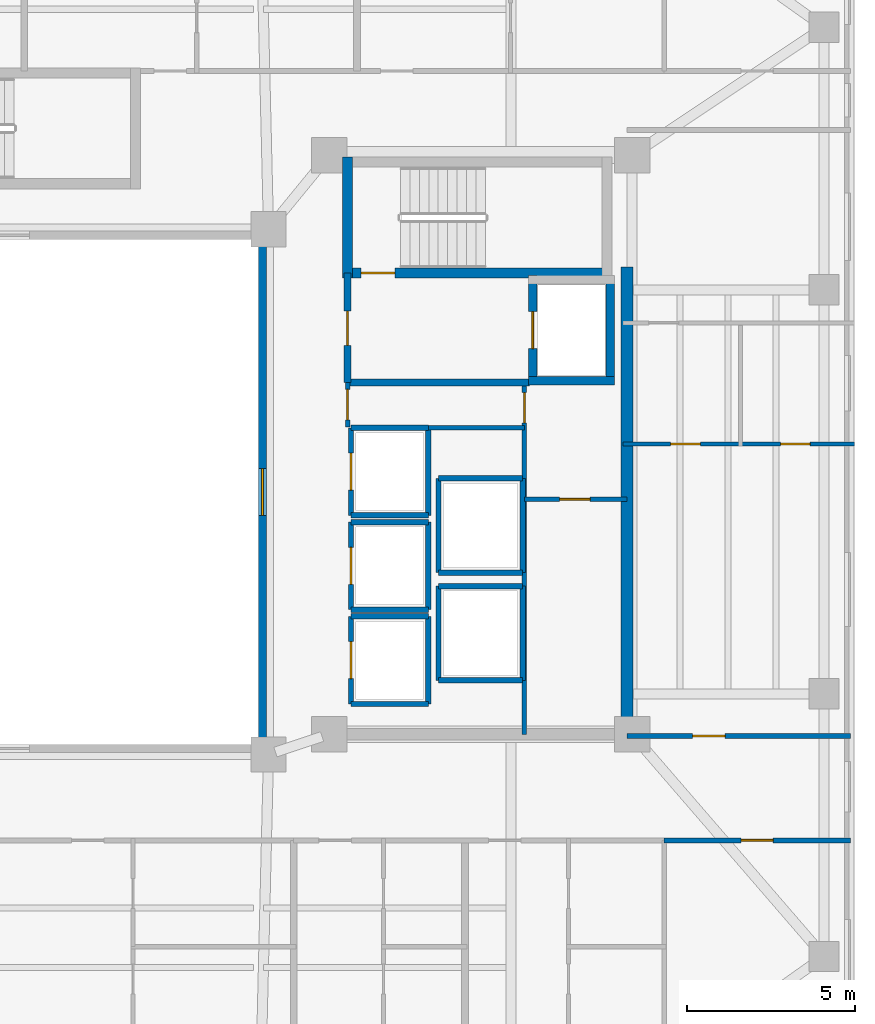
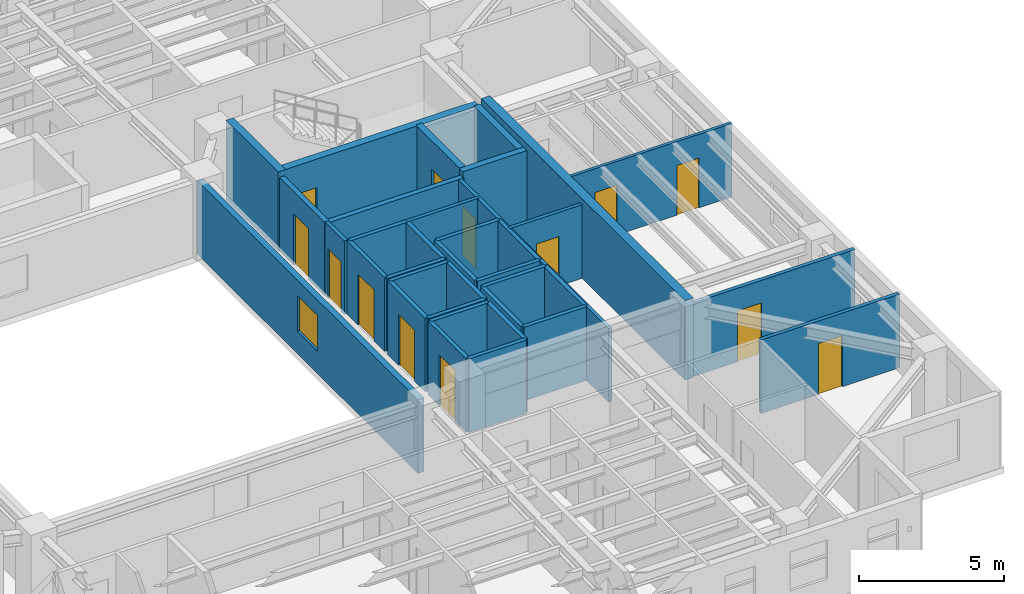
# One storey, part 9 of 16: 36 walls, 13 doors, 1 window, 14 openings.
"""IFC4 building model written with IfcOpenShell, lengths in metres."""

from ifc_helpers import new_model, si_unit, direction, frame, frame_2d, origin, place, context, subcontext, project, spatial, rectangle, extrude, material, layer, layer_set, type_object, element, fill, save


model = new_model("IFC4")

# Units and contexts
model_context = context("Model", 3, precision=1e-05, world=origin(), true_north=direction((0.0, 1.0)))
body_context = subcontext(model_context, "Body", "Model", "MODEL_VIEW")
ifc_project = project(units=[si_unit("LENGTHUNIT", "METRE"), si_unit("AREAUNIT", "SQUARE_METRE"), si_unit("VOLUMEUNIT", "CUBIC_METRE"), si_unit("PLANEANGLEUNIT", "RADIAN"), si_unit("MASSUNIT", "GRAM", prefix="KILO")], contexts=[model_context])

# Site, building, storey
site_placement = place(None, origin())
site = spatial("IfcSite", under=ifc_project, at=site_placement, CompositionType="ELEMENT")
building_placement = place(site_placement, origin())
building = spatial("IfcBuilding", under=site, at=building_placement, Name="Tarnavaz Court Tower", CompositionType="ELEMENT")
storey_placement = place(building_placement, frame((0.0, 0.0, 135.949951171875)))
storey = spatial("IfcBuildingStorey", under=building, at=storey_placement, Name="L36", CompositionType="ELEMENT", Elevation=135.949951171875)

# Wall, opening, door
ifc_material_1 = material(Name="Concrete C50/60", Category="concrete")
ifc_layer_1 = layer(ifc_material_1, 0.25)
ifc_layer_set_1 = layer_set([ifc_layer_1], Name="Concrete C50/60")
wall_type_1 = type_object("IfcWallType", Name="WL-CORE-250-C50", PredefinedType="SHEAR", material=ifc_layer_set_1)
wall_1_placement = place(storey_placement, frame((15.64990234375, 3.175048828125, 0.0), z_axis=(0.0, 0.0, 1.0), x_axis=(0.0, 1.0, 0.0)))
wall_1 = element("IfcWall", 1, at=wall_1_placement, inside=storey, type_object=wall_type_1, Name="L36 Lift FL-E1 Shaft Wall 033", PredefinedType="SHEAR", context=body_context, shape_type="SweptSolid", body=[
    extrude(rectangle(XDim=3.25, YDim=0.25, at=frame_2d((1.625, 0.0))), origin(), (0.0, 0.0, 1.0), 3.35009765625),
])
opening_1_placement = place(wall_1_placement, frame((1.074951171875, 0.0, 0.0)))
opening_1 = element("IfcOpeningElement", 2, at=opening_1_placement, cuts=wall_1, Name="Opening LD1", PredefinedType="OPENING", context=body_context, shape_type="SweptSolid", body=[
    extrude(rectangle(XDim=1.10009765625, YDim=2.14990234375, at=frame_2d((0.550048828125, 1.074951171875))), frame((0.0, 0.135009765625, 0.0), z_axis=(0.0, -1.0, 0.0), x_axis=(1.0, 0.0, 0.0)), (0.0, 0.0, 1.0), 0.27001953125),
])
ifc_material_2 = material(Name="Stainless Steel", Category="steel")
door_type_1 = type_object("IfcDoorType", Name="DR-LD-1100", OperationType="NOTDEFINED", PredefinedType="DOOR", material=ifc_material_2)
door_1_placement = place(opening_1_placement, origin())
door_1 = element("IfcDoor", 3, at=door_1_placement, inside=storey, type_object=door_type_1, Name="L36 Lift Landing Door LD-FL-E1", OperationType="SLIDING_TO_LEFT", OverallHeight=2.14990234375, OverallWidth=1.10009765625, PredefinedType="DOOR", context=body_context, shape_type="SweptSolid", body=[
    extrude(rectangle(XDim=1.10009765625, YDim=2.14990234375, at=frame_2d((0.550048828125, 1.074951171875))), frame((0.0, 0.02490234375, 0.0), z_axis=(0.0, -1.0, 0.0), x_axis=(1.0, 0.0, 0.0)), (0.0, 0.0, 1.0), 0.050048828125),
])
fill(opening_1, door_1)

# Walls
wall_2_placement = place(storey_placement, frame((17.949951171875, 3.175048828125, 0.0), z_axis=(0.0, 0.0, 1.0), x_axis=(0.0, 1.0, 0.0)))
element("IfcWall", 4, at=wall_2_placement, inside=storey, type_object=wall_type_1, Name="L36 Lift FL-E1 Shaft Wall 034", PredefinedType="SHEAR", context=body_context, shape_type="SweptSolid", body=[
    extrude(rectangle(XDim=3.25, YDim=0.25, at=frame_2d((1.625, 0.0))), origin(), (0.0, 0.0, 1.0), 3.35009765625),
])
wall_3_placement = place(storey_placement, frame((15.52490234375, 3.300048828125, 0.0), z_axis=(0.0, 0.0, 1.0), x_axis=(1.0, 0.0, 0.0)))
element("IfcWall", 5, at=wall_3_placement, inside=storey, type_object=wall_type_1, Name="L36 Lift FL-E1 Shaft Wall 035", PredefinedType="SHEAR", context=body_context, shape_type="SweptSolid", body=[
    extrude(rectangle(XDim=2.550048828125, YDim=0.25, at=frame_2d((1.27490234375, 0.0))), origin(), (0.0, 0.0, 1.0), 3.35009765625),
])

# Wall, opening, door
ifc_layer_2 = layer(ifc_material_1, 0.300048828125)
ifc_layer_set_2 = layer_set([ifc_layer_2], Name="Concrete C50/60")
wall_type_2 = type_object("IfcWallType", Name="WL-CORE-300-C50", PredefinedType="SHEAR", material=ifc_layer_set_2)
wall_4_placement = place(storey_placement, frame((10.0, 6.5, 0.0), z_axis=(0.0, 0.0, 1.0), x_axis=(1.0, 0.0, 0.0)))
wall_4 = element("IfcWall", 6, at=wall_4_placement, inside=storey, type_object=wall_type_2, Name="L36 East Stair Core Wall 006", PredefinedType="SHEAR", context=body_context, shape_type="SweptSolid", body=[
    extrude(rectangle(XDim=8.0, YDim=0.300048828125, at=frame_2d((4.0, 0.0))), origin(), (0.0, 0.0, 1.0), 3.35009765625),
])
opening_2_placement = place(wall_4_placement, frame((0.550048828125, 0.0, 0.0)))
opening_2 = element("IfcOpeningElement", 7, at=opening_2_placement, cuts=wall_4, Name="Opening D01", PredefinedType="OPENING", context=body_context, shape_type="SweptSolid", body=[
    extrude(rectangle(XDim=1.0, YDim=2.14990234375, at=frame_2d((0.5, 1.074951171875))), frame((0.0, 0.159912109375, 0.0), z_axis=(0.0, -1.0, 0.0), x_axis=(1.0, 0.0, 0.0)), (0.0, 0.0, 1.0), 0.320068359375),
])
ifc_material_3 = material(Name="Fire-Rated Hardwood Timber Core", Category="wood")
door_type_2 = type_object("IfcDoorType", Name="DR-FD90-1000", OperationType="NOTDEFINED", PredefinedType="DOOR", material=ifc_material_3)
door_2_placement = place(opening_2_placement, origin())
door_2 = element("IfcDoor", 8, at=door_2_placement, inside=storey, type_object=door_type_2, Name="L36 Stair ST-E1 Exit Door", OperationType="SINGLE_SWING_RIGHT", OverallHeight=2.14990234375, OverallWidth=1.0, PredefinedType="DOOR", context=body_context, shape_type="SweptSolid", body=[
    extrude(rectangle(XDim=1.0, YDim=2.14990234375, at=frame_2d((0.5, 1.074951171875))), frame((0.0, 0.02490234375, 0.0), z_axis=(0.0, -1.0, 0.0), x_axis=(1.0, 0.0, 0.0)), (0.0, 0.0, 1.0), 0.050048828125),
])
fill(opening_2, door_2)

# Walls
wall_5_placement = place(storey_placement, frame((10.14990234375, 6.35009765625, 0.0), z_axis=(0.0, 0.0, 1.0), x_axis=(0.0, 1.0, 0.0)))
element("IfcWall", 9, at=wall_5_placement, inside=storey, type_object=wall_type_2, Name="L36 East Stair Core Wall 007", PredefinedType="SHEAR", context=body_context, shape_type="SweptSolid", body=[
    extrude(rectangle(XDim=3.58984375, YDim=0.300048828125, at=frame_2d((1.794921875, 0.0))), origin(), (0.0, 0.0, 1.0), 3.35009765625),
])
ifc_layer_3 = layer(ifc_material_1, 0.35009765625)
ifc_layer_set_3 = layer_set([ifc_layer_3], Name="Concrete C50/60")
wall_type_3 = type_object("IfcWallType", Name="WL-CORE-350-C50", PredefinedType="SHEAR", material=ifc_layer_set_3)
wall_6_placement = place(storey_placement, frame((18.449951171875, -7.375, 0.0), z_axis=(0.0, 0.0, 1.0), x_axis=(0.0, 1.0, 0.0)))
element("IfcWall", 10, at=wall_6_placement, inside=storey, type_object=wall_type_3, Name="L36 East Core Shear Wall 059", PredefinedType="SHEAR", context=body_context, shape_type="SweptSolid", body=[
    extrude(rectangle(XDim=14.050048828125, YDim=0.35009765625, at=frame_2d((7.02490234375, 0.0))), origin(), (0.0, 0.0, 1.0), 3.35009765625),
])

# Wall, opening, door
ifc_material_4 = material(Name="Gypsum Fire-Board on Acoustic Metal Stud", Category="masonry")
ifc_layer_4 = layer(ifc_material_4, 0.14990234375)
ifc_layer_set_4 = layer_set([ifc_layer_4], Name="Gypsum Fire-Board on Acoustic Metal Stud")
wall_type_4 = type_object("IfcWallType", Name="WL-FIRE-150", PredefinedType="PARTITIONING", material=ifc_layer_set_4)
wall_7_placement = place(storey_placement, frame((18.449951171875, -7.25, 0.0), z_axis=(0.0, 0.0, 1.0), x_axis=(1.0, 0.0, 0.0)))
wall_7 = element("IfcWall", 11, at=wall_7_placement, inside=storey, type_object=wall_type_4, Name="L36 Interior Partition 117", PredefinedType="PARTITIONING", context=body_context, shape_type="SweptSolid", body=[
    extrude(rectangle(XDim=6.630126953125, YDim=0.14990234375, at=frame_2d((3.31494140625, 0.0))), origin(), (0.0, 0.0, 1.0), 3.10009765625),
])
opening_3_placement = place(wall_7_placement, frame((1.949951171875, 0.0, 0.0)))
opening_3 = element("IfcOpeningElement", 12, at=opening_3_placement, cuts=wall_7, Name="Opening D06", PredefinedType="OPENING", context=body_context, shape_type="SweptSolid", body=[
    extrude(rectangle(XDim=0.9599609375, YDim=2.14990234375, at=frame_2d((0.47998046875, 1.074951171875))), frame((0.0, 0.0849609375, 0.0), z_axis=(0.0, -1.0, 0.0), x_axis=(1.0, 0.0, 0.0)), (0.0, 0.0, 1.0), 0.169921875),
])
door_type_3 = type_object("IfcDoorType", Name="DR-FD60-950", OperationType="NOTDEFINED", PredefinedType="DOOR", material=ifc_material_3)
door_3_placement = place(opening_3_placement, origin())
door_3 = element("IfcDoor", 13, at=door_3_placement, inside=storey, type_object=door_type_3, Name="L36 Flat 12 Entrance Door", OperationType="SINGLE_SWING_RIGHT", OverallHeight=2.14990234375, OverallWidth=0.9599609375, PredefinedType="DOOR", context=body_context, shape_type="SweptSolid", body=[
    extrude(rectangle(XDim=0.9599609375, YDim=2.14990234375, at=frame_2d((0.47998046875, 1.074951171875))), frame((0.0, 0.02490234375, 0.0), z_axis=(0.0, -1.0, 0.0), x_axis=(1.0, 0.0, 0.0)), (0.0, 0.0, 1.0), 0.050048828125),
])
fill(opening_3, door_3)

wall_8_placement = place(storey_placement, frame((19.550048828125, -10.35009765625, 0.0), z_axis=(0.0, 0.0, 1.0), x_axis=(1.0, 0.0, 0.0)))
wall_8 = element("IfcWall", 14, at=wall_8_placement, inside=storey, type_object=wall_type_4, Name="L36 Interior Partition 126", PredefinedType="PARTITIONING", context=body_context, shape_type="SweptSolid", body=[
    extrude(rectangle(XDim=5.530029296875, YDim=0.14990234375, at=frame_2d((2.76513671875, 0.0))), origin(), (0.0, 0.0, 1.0), 3.10009765625),
])
opening_4_placement = place(wall_8_placement, frame((2.2900390625, 0.0, 0.0)))
opening_4 = element("IfcOpeningElement", 15, at=opening_4_placement, cuts=wall_8, Name="Opening D13", PredefinedType="OPENING", context=body_context, shape_type="SweptSolid", body=[
    extrude(rectangle(XDim=0.949951171875, YDim=2.14990234375, at=frame_2d((0.47509765625, 1.074951171875))), frame((0.0, 0.0849609375, 0.0), z_axis=(0.0, -1.0, 0.0), x_axis=(1.0, 0.0, 0.0)), (0.0, 0.0, 1.0), 0.169921875),
])
ifc_material_5 = material(Name="Engineered Oak Timber", Category="wood")
door_type_4 = type_object("IfcDoorType", Name="DR-INT-950", OperationType="NOTDEFINED", PredefinedType="DOOR", material=ifc_material_5)
door_4_placement = place(opening_4_placement, origin())
door_4 = element("IfcDoor", 16, at=door_4_placement, inside=storey, type_object=door_type_4, Name="L36 SE Reading Room Door", OperationType="SINGLE_SWING_LEFT", OverallHeight=2.14990234375, OverallWidth=0.949951171875, PredefinedType="DOOR", context=body_context, shape_type="SweptSolid", body=[
    extrude(rectangle(XDim=0.949951171875, YDim=2.14990234375, at=frame_2d((0.47509765625, 1.074951171875))), frame((0.0, 0.02490234375, 0.0), z_axis=(0.0, -1.0, 0.0), x_axis=(1.0, 0.0, 0.0)), (0.0, 0.0, 1.0), 0.050048828125),
])
fill(opening_4, door_4)

# Wall
ifc_material_6 = material(Name="Autoclaved Aerated Concrete Blockwork", Category="masonry")
ifc_layer_5 = layer(ifc_material_6, 0.199951171875)
ifc_layer_set_5 = layer_set([ifc_layer_5], Name="Autoclaved Aerated Concrete Blockwork")
wall_type_5 = type_object("IfcWallType", Name="WL-FIRE-200", PredefinedType="SOLIDWALL", material=ifc_layer_set_5)
wall_9_placement = place(storey_placement, frame((10.14990234375, 3.25, 0.0), z_axis=(0.0, 0.0, 1.0), x_axis=(1.0, 0.0, 0.0)))
element("IfcWall", 17, at=wall_9_placement, inside=storey, type_object=wall_type_5, Name="L36 East Firefighting Lobby Wall 015", PredefinedType="SOLIDWALL", context=body_context, shape_type="SweptSolid", body=[
    extrude(rectangle(XDim=5.400146484375, YDim=0.199951171875, at=frame_2d((2.7001953125, 0.0))), origin(), (0.0, 0.0, 1.0), 3.10009765625),
])

# Wall, opening, door
wall_10_placement = place(storey_placement, frame((10.14990234375, 3.25, 0.0), z_axis=(0.0, 0.0, 1.0), x_axis=(0.0, 1.0, 0.0)))
wall_10 = element("IfcWall", 18, at=wall_10_placement, inside=storey, type_object=wall_type_5, Name="L36 East Firefighting Lobby Wall 016", PredefinedType="SOLIDWALL", context=body_context, shape_type="SweptSolid", body=[
    extrude(rectangle(XDim=3.25, YDim=0.199951171875, at=frame_2d((1.625, 0.0))), origin(), (0.0, 0.0, 1.0), 3.10009765625),
])
opening_5_placement = place(wall_10_placement, frame((1.10009765625, 0.0, 0.0)))
opening_5 = element("IfcOpeningElement", 19, at=opening_5_placement, cuts=wall_10, Name="Opening D05", PredefinedType="OPENING", context=body_context, shape_type="SweptSolid", body=[
    extrude(rectangle(XDim=1.02001953125, YDim=2.14990234375, at=frame_2d((0.510009765625, 1.074951171875))), frame((0.0, 0.10986328125, 0.0), z_axis=(0.0, -1.0, 0.0), x_axis=(1.0, 0.0, 0.0)), (0.0, 0.0, 1.0), 0.219970703125),
])
door_type_5 = type_object("IfcDoorType", Name="DR-FD60-1000", OperationType="NOTDEFINED", PredefinedType="DOOR", material=ifc_material_3)
door_5_placement = place(opening_5_placement, origin())
door_5 = element("IfcDoor", 20, at=door_5_placement, inside=storey, type_object=door_type_5, Name="L36 East Firefighting Lobby Door", OperationType="SINGLE_SWING_LEFT", OverallHeight=2.14990234375, OverallWidth=1.02001953125, PredefinedType="DOOR", context=body_context, shape_type="SweptSolid", body=[
    extrude(rectangle(XDim=1.02001953125, YDim=2.14990234375, at=frame_2d((0.510009765625, 1.074951171875))), frame((0.0, 0.02490234375, 0.0), z_axis=(0.0, -1.0, 0.0), x_axis=(1.0, 0.0, 0.0)), (0.0, 0.0, 1.0), 0.050048828125),
])
fill(opening_5, door_5)

# Wall, openings, doors
ifc_material_7 = material(Name="Moisture-Resistant Gypsum Board Partition", Category="masonry")
ifc_layer_6 = layer(ifc_material_7, 0.1201171875)
ifc_layer_set_6 = layer_set([ifc_layer_6], Name="Moisture-Resistant Gypsum Board Partition")
wall_type_6 = type_object("IfcWallType", Name="WL-PART-120", PredefinedType="PARTITIONING", material=ifc_layer_set_6)
wall_11_placement = place(storey_placement, frame((18.330078125, 1.419921875, 0.0), z_axis=(0.0, 0.0, 1.0), x_axis=(1.0, 0.0, 0.0)))
wall_11 = element("IfcWall", 21, at=wall_11_placement, inside=storey, type_object=wall_type_6, Name="L36 Interior Partition 130", PredefinedType="PARTITIONING", context=body_context, shape_type="SweptSolid", body=[
    extrude(rectangle(XDim=6.869873046875, YDim=0.1201171875, at=frame_2d((3.43505859375, 0.0))), origin(), (0.0, 0.0, 1.0), 3.10009765625),
])
opening_6_placement = place(wall_11_placement, frame((1.4130859375, 0.0, 0.0)))
opening_6 = element("IfcOpeningElement", 22, at=opening_6_placement, cuts=wall_11, Name="Opening D14", PredefinedType="OPENING", context=body_context, shape_type="SweptSolid", body=[
    extrude(rectangle(XDim=0.8798828125, YDim=2.10009765625, at=frame_2d((0.43994140625, 1.050048828125))), frame((0.0, 0.070068359375, 0.0), z_axis=(0.0, -1.0, 0.0), x_axis=(1.0, 0.0, 0.0)), (0.0, 0.0, 1.0), 0.14013671875),
])
opening_7_placement = place(wall_11_placement, frame((4.677978515625, 0.0, 0.0)))
opening_7 = element("IfcOpeningElement", 23, at=opening_7_placement, cuts=wall_11, Name="Opening D14", PredefinedType="OPENING", context=body_context, shape_type="SweptSolid", body=[
    extrude(rectangle(XDim=0.8798828125, YDim=2.10009765625, at=frame_2d((0.43994140625, 1.050048828125))), frame((0.0, 0.070068359375, 0.0), z_axis=(0.0, -1.0, 0.0), x_axis=(1.0, 0.0, 0.0)), (0.0, 0.0, 1.0), 0.14013671875),
])
door_type_6 = type_object("IfcDoorType", Name="DR-INT-900", OperationType="NOTDEFINED", PredefinedType="DOOR", material=ifc_material_5)
door_6_placement = place(opening_6_placement, origin())
door_6 = element("IfcDoor", 24, at=door_6_placement, inside=storey, type_object=door_type_6, Name="L36 Flat 12 Kitchen Door", OperationType="SINGLE_SWING_LEFT", OverallHeight=2.10009765625, OverallWidth=0.8798828125, PredefinedType="DOOR", context=body_context, shape_type="SweptSolid", body=[
    extrude(rectangle(XDim=0.8798828125, YDim=2.10009765625, at=frame_2d((0.43994140625, 1.050048828125))), frame((0.0, 0.02490234375, 0.0), z_axis=(0.0, -1.0, 0.0), x_axis=(1.0, 0.0, 0.0)), (0.0, 0.0, 1.0), 0.050048828125),
])
fill(opening_6, door_6)
door_7_placement = place(opening_7_placement, origin())
door_7 = element("IfcDoor", 25, at=door_7_placement, inside=storey, type_object=door_type_6, Name="L36 Flat 12 Bathroom Door", OperationType="SINGLE_SWING_RIGHT", OverallHeight=2.10009765625, OverallWidth=0.8798828125, PredefinedType="DOOR", context=body_context, shape_type="SweptSolid", body=[
    extrude(rectangle(XDim=0.8798828125, YDim=2.10009765625, at=frame_2d((0.43994140625, 1.050048828125))), frame((0.0, 0.02490234375, 0.0), z_axis=(0.0, -1.0, 0.0), x_axis=(1.0, 0.0, 0.0)), (0.0, 0.0, 1.0), 0.050048828125),
])
fill(opening_7, door_7)

# Wall
ifc_material_8 = material(Name="Gypsum Plasterboard Acoustic Partition", Category="masonry")
ifc_layer_7 = layer(ifc_material_8, 0.139892578125)
ifc_layer_set_7 = layer_set([ifc_layer_7], Name="Gypsum Plasterboard Acoustic Partition")
wall_type_7 = type_object("IfcWallType", Name="WL-PART-150", PredefinedType="PARTITIONING", material=ifc_layer_set_7)
wall_12_placement = place(storey_placement, frame((12.550048828125, 1.89990234375, 0.0), z_axis=(0.0, 0.0, 1.0), x_axis=(1.0, 0.0, 0.0)))
element("IfcWall", 26, at=wall_12_placement, inside=storey, type_object=wall_type_7, Name="L36 Interior Partition 068", PredefinedType="PARTITIONING", context=body_context, shape_type="SweptSolid", body=[
    extrude(rectangle(XDim=2.849853515625, YDim=0.139892578125, at=frame_2d((1.4248046875, 0.0))), origin(), (0.0, 0.0, 1.0), 3.10009765625),
])

# Wall, opening, door
wall_13_placement = place(storey_placement, frame((10.14990234375, 1.919921875, 0.0), z_axis=(0.0, 0.0, 1.0), x_axis=(0.0, 1.0, 0.0)))
wall_13 = element("IfcWall", 27, at=wall_13_placement, inside=storey, type_object=wall_type_7, Name="L36 Interior Partition 069", PredefinedType="PARTITIONING", context=body_context, shape_type="SweptSolid", body=[
    extrude(rectangle(XDim=1.330078125, YDim=0.139892578125, at=frame_2d((0.6650390625, 0.0))), origin(), (0.0, 0.0, 1.0), 3.10009765625),
])
opening_8_placement = place(wall_13_placement, frame((0.219970703125, 0.0, 0.0)))
opening_8 = element("IfcOpeningElement", 28, at=opening_8_placement, cuts=wall_13, Name="Opening D09", PredefinedType="OPENING", context=body_context, shape_type="SweptSolid", body=[
    extrude(rectangle(XDim=0.89990234375, YDim=2.080078125, at=frame_2d((0.449951171875, 1.0400390625))), frame((0.0, 0.079833984375, 0.0), z_axis=(0.0, -1.0, 0.0), x_axis=(1.0, 0.0, 0.0)), (0.0, 0.0, 1.0), 0.159912109375),
])
door_type_7 = type_object("IfcDoorType", Name="DR-FD30-900", OperationType="NOTDEFINED", PredefinedType="DOOR", material=ifc_material_3)
door_8_placement = place(opening_8_placement, origin())
door_8 = element("IfcDoor", 29, at=door_8_placement, inside=storey, type_object=door_type_7, Name="L36 East Core Service Lobby Door", OperationType="SINGLE_SWING_LEFT", OverallHeight=2.080078125, OverallWidth=0.89990234375, PredefinedType="DOOR", context=body_context, shape_type="SweptSolid", body=[
    extrude(rectangle(XDim=0.89990234375, YDim=2.080078125, at=frame_2d((0.449951171875, 1.0400390625))), frame((0.0, 0.02490234375, 0.0), z_axis=(0.0, -1.0, 0.0), x_axis=(1.0, 0.0, 0.0)), (0.0, 0.0, 1.0), 0.050048828125),
])
fill(opening_8, door_8)

wall_14_placement = place(storey_placement, frame((15.39990234375, -7.199951171875, 0.0), z_axis=(0.0, 0.0, 1.0), x_axis=(0.0, 1.0, 0.0)))
wall_14 = element("IfcWall", 30, at=wall_14_placement, inside=storey, type_object=wall_type_7, Name="L36 Interior Partition 070", PredefinedType="PARTITIONING", context=body_context, shape_type="SweptSolid", body=[
    extrude(rectangle(XDim=10.449951171875, YDim=0.139892578125, at=frame_2d((5.22509765625, 0.0))), origin(), (0.0, 0.0, 1.0), 3.10009765625),
])
opening_9_placement = place(wall_14_placement, frame((9.25, 0.0, 0.0)))
opening_9 = element("IfcOpeningElement", 31, at=opening_9_placement, cuts=wall_14, Name="Opening D09", PredefinedType="OPENING", context=body_context, shape_type="SweptSolid", body=[
    extrude(rectangle(XDim=0.89990234375, YDim=2.080078125, at=frame_2d((0.449951171875, 1.0400390625))), frame((0.0, 0.079833984375, 0.0), z_axis=(0.0, -1.0, 0.0), x_axis=(1.0, 0.0, 0.0)), (0.0, 0.0, 1.0), 0.159912109375),
])
door_9_placement = place(opening_9_placement, origin())
door_9 = element("IfcDoor", 32, at=door_9_placement, inside=storey, type_object=door_type_7, Name="L36 East Wet Riser Door", OperationType="SINGLE_SWING_RIGHT", OverallHeight=2.080078125, OverallWidth=0.89990234375, PredefinedType="DOOR", context=body_context, shape_type="SweptSolid", body=[
    extrude(rectangle(XDim=0.89990234375, YDim=2.080078125, at=frame_2d((0.449951171875, 1.0400390625))), frame((0.0, 0.02490234375, 0.0), z_axis=(0.0, -1.0, 0.0), x_axis=(1.0, 0.0, 0.0)), (0.0, 0.0, 1.0), 0.050048828125),
])
fill(opening_9, door_9)

wall_15_placement = place(storey_placement, frame((15.39990234375, -0.219970703125, 0.0), z_axis=(0.0, 0.0, 1.0), x_axis=(1.0, 0.0, 0.0)))
wall_15 = element("IfcWall", 33, at=wall_15_placement, inside=storey, type_object=wall_type_7, Name="L36 Interior Partition 071", PredefinedType="PARTITIONING", context=body_context, shape_type="SweptSolid", body=[
    extrude(rectangle(XDim=3.050048828125, YDim=0.139892578125, at=frame_2d((1.52490234375, 0.0))), origin(), (0.0, 0.0, 1.0), 3.10009765625),
])
opening_10_placement = place(wall_15_placement, frame((1.050048828125, 0.0, 0.0)))
opening_10 = element("IfcOpeningElement", 34, at=opening_10_placement, cuts=wall_15, Name="Opening D09", PredefinedType="OPENING", context=body_context, shape_type="SweptSolid", body=[
    extrude(rectangle(XDim=0.89990234375, YDim=2.080078125, at=frame_2d((0.449951171875, 1.0400390625))), frame((0.0, 0.079833984375, 0.0), z_axis=(0.0, -1.0, 0.0), x_axis=(1.0, 0.0, 0.0)), (0.0, 0.0, 1.0), 0.159912109375),
])
door_10_placement = place(opening_10_placement, origin())
door_10 = element("IfcDoor", 35, at=door_10_placement, inside=storey, type_object=door_type_7, Name="L36 East Electrical Plant Door", OperationType="SINGLE_SWING_LEFT", OverallHeight=2.080078125, OverallWidth=0.89990234375, PredefinedType="DOOR", context=body_context, shape_type="SweptSolid", body=[
    extrude(rectangle(XDim=0.89990234375, YDim=2.080078125, at=frame_2d((0.449951171875, 1.0400390625))), frame((0.0, 0.02490234375, 0.0), z_axis=(0.0, -1.0, 0.0), x_axis=(1.0, 0.0, 0.0)), (0.0, 0.0, 1.0), 0.050048828125),
])
fill(opening_10, door_10)

ifc_layer_8 = layer(ifc_material_6, 0.159912109375)
ifc_layer_set_8 = layer_set([ifc_layer_8], Name="Autoclaved Aerated Concrete Blockwork")
wall_type_8 = type_object("IfcWallType", Name="WL-SHAFT-150", PredefinedType="SOLIDWALL", material=ifc_layer_set_8)
wall_16_placement = place(storey_placement, frame((10.25, -6.300048828125, 0.0), z_axis=(0.0, 0.0, 1.0), x_axis=(0.0, 1.0, 0.0)))
wall_16 = element("IfcWall", 36, at=wall_16_placement, inside=storey, type_object=wall_type_8, Name="L36 Lift PL-M1 Shaft Wall 037", PredefinedType="SOLIDWALL", context=body_context, shape_type="SweptSolid", body=[
    extrude(rectangle(XDim=2.60009765625, YDim=0.159912109375, at=frame_2d((1.300048828125, 0.0))), origin(), (0.0, 0.0, 1.0), 3.10009765625),
])
opening_11_placement = place(wall_16_placement, frame((0.75, 0.0, 0.0)))
opening_11 = element("IfcOpeningElement", 37, at=opening_11_placement, cuts=wall_16, Name="Opening LD1", PredefinedType="OPENING", context=body_context, shape_type="SweptSolid", body=[
    extrude(rectangle(XDim=1.10009765625, YDim=2.14990234375, at=frame_2d((0.550048828125, 1.074951171875))), frame((0.0, 0.08984375, 0.0), z_axis=(0.0, -1.0, 0.0), x_axis=(1.0, 0.0, 0.0)), (0.0, 0.0, 1.0), 0.179931640625),
])
door_11_placement = place(opening_11_placement, origin())
door_11 = element("IfcDoor", 38, at=door_11_placement, inside=storey, type_object=door_type_1, Name="L36 Lift Landing Door LD-PL-M1", OperationType="SLIDING_TO_LEFT", OverallHeight=2.14990234375, OverallWidth=1.10009765625, PredefinedType="DOOR", context=body_context, shape_type="SweptSolid", body=[
    extrude(rectangle(XDim=1.10009765625, YDim=2.14990234375, at=frame_2d((0.550048828125, 1.074951171875))), frame((0.0, 0.02490234375, 0.0), z_axis=(0.0, -1.0, 0.0), x_axis=(1.0, 0.0, 0.0)), (0.0, 0.0, 1.0), 0.050048828125),
])
fill(opening_11, door_11)

# Walls
wall_17_placement = place(storey_placement, frame((12.550048828125, -6.300048828125, 0.0), z_axis=(0.0, 0.0, 1.0), x_axis=(0.0, 1.0, 0.0)))
element("IfcWall", 39, at=wall_17_placement, inside=storey, type_object=wall_type_8, Name="L36 Lift PL-M1 Shaft Wall 038", PredefinedType="SOLIDWALL", context=body_context, shape_type="SweptSolid", body=[
    extrude(rectangle(XDim=2.60009765625, YDim=0.159912109375, at=frame_2d((1.300048828125, 0.0))), origin(), (0.0, 0.0, 1.0), 3.10009765625),
])
for number, where, z_axis, x_axis, name in (
    (40, (10.25, -6.300048828125, 0.0), (0.0, 0.0, 1.0), (1.0, 0.0, 0.0), "L36 Lift PL-M1 Shaft Wall 039"),
    (41, (10.25, -3.699951171875, 0.0), (0.0, 0.0, 1.0), (1.0, 0.0, 0.0), "L36 Lift PL-M1 Shaft Wall 040"),
):
    element("IfcWall", number, at=place(storey_placement, frame(where, z_axis=z_axis, x_axis=x_axis)), inside=storey, type_object=wall_type_8, Name=name, PredefinedType="SOLIDWALL", context=body_context, shape_type="SweptSolid", body=[
        extrude(rectangle(XDim=2.300048828125, YDim=0.159912109375, at=frame_2d((1.14990234375, 0.0))), origin(), (0.0, 0.0, 1.0), 3.10009765625),
    ])

# Wall, opening, door
wall_18_placement = place(storey_placement, frame((10.25, -3.5, 0.0), z_axis=(0.0, 0.0, 1.0), x_axis=(0.0, 1.0, 0.0)))
wall_18 = element("IfcWall", 42, at=wall_18_placement, inside=storey, type_object=wall_type_8, Name="L36 Lift PL-M2 Shaft Wall 041", PredefinedType="SOLIDWALL", context=body_context, shape_type="SweptSolid", body=[
    extrude(rectangle(XDim=2.60009765625, YDim=0.159912109375, at=frame_2d((1.300048828125, 0.0))), origin(), (0.0, 0.0, 1.0), 3.10009765625),
])
opening_12_placement = place(wall_18_placement, frame((0.75, 0.0, 0.0)))
opening_12 = element("IfcOpeningElement", 43, at=opening_12_placement, cuts=wall_18, Name="Opening LD1", PredefinedType="OPENING", context=body_context, shape_type="SweptSolid", body=[
    extrude(rectangle(XDim=1.10009765625, YDim=2.14990234375, at=frame_2d((0.550048828125, 1.074951171875))), frame((0.0, 0.08984375, 0.0), z_axis=(0.0, -1.0, 0.0), x_axis=(1.0, 0.0, 0.0)), (0.0, 0.0, 1.0), 0.179931640625),
])
door_12_placement = place(opening_12_placement, origin())
door_12 = element("IfcDoor", 44, at=door_12_placement, inside=storey, type_object=door_type_1, Name="L36 Lift Landing Door LD-PL-M2", OperationType="SLIDING_TO_LEFT", OverallHeight=2.14990234375, OverallWidth=1.10009765625, PredefinedType="DOOR", context=body_context, shape_type="SweptSolid", body=[
    extrude(rectangle(XDim=1.10009765625, YDim=2.14990234375, at=frame_2d((0.550048828125, 1.074951171875))), frame((0.0, 0.02490234375, 0.0), z_axis=(0.0, -1.0, 0.0), x_axis=(1.0, 0.0, 0.0)), (0.0, 0.0, 1.0), 0.050048828125),
])
fill(opening_12, door_12)

# Walls
wall_19_placement = place(storey_placement, frame((12.550048828125, -3.5, 0.0), z_axis=(0.0, 0.0, 1.0), x_axis=(0.0, 1.0, 0.0)))
element("IfcWall", 45, at=wall_19_placement, inside=storey, type_object=wall_type_8, Name="L36 Lift PL-M2 Shaft Wall 042", PredefinedType="SOLIDWALL", context=body_context, shape_type="SweptSolid", body=[
    extrude(rectangle(XDim=2.60009765625, YDim=0.159912109375, at=frame_2d((1.300048828125, 0.0))), origin(), (0.0, 0.0, 1.0), 3.10009765625),
])
for number, where, z_axis, x_axis, name in (
    (46, (10.25, -3.5, 0.0), (0.0, 0.0, 1.0), (1.0, 0.0, 0.0), "L36 Lift PL-M2 Shaft Wall 043"),
    (47, (10.25, -0.89990234375, 0.0), (0.0, 0.0, 1.0), (1.0, 0.0, 0.0), "L36 Lift PL-M2 Shaft Wall 044"),
):
    element("IfcWall", number, at=place(storey_placement, frame(where, z_axis=z_axis, x_axis=x_axis)), inside=storey, type_object=wall_type_8, Name=name, PredefinedType="SOLIDWALL", context=body_context, shape_type="SweptSolid", body=[
        extrude(rectangle(XDim=2.300048828125, YDim=0.159912109375, at=frame_2d((1.14990234375, 0.0))), origin(), (0.0, 0.0, 1.0), 3.10009765625),
    ])

# Wall, opening, door
wall_20_placement = place(storey_placement, frame((10.25, -0.699951171875, 0.0), z_axis=(0.0, 0.0, 1.0), x_axis=(0.0, 1.0, 0.0)))
wall_20 = element("IfcWall", 48, at=wall_20_placement, inside=storey, type_object=wall_type_8, Name="L36 Lift PL-M3 Shaft Wall 045", PredefinedType="SOLIDWALL", context=body_context, shape_type="SweptSolid", body=[
    extrude(rectangle(XDim=2.599853515625, YDim=0.159912109375, at=frame_2d((1.2998046875, 0.0))), origin(), (0.0, 0.0, 1.0), 3.10009765625),
])
opening_13_placement = place(wall_20_placement, frame((0.75, 0.0, 0.0)))
opening_13 = element("IfcOpeningElement", 49, at=opening_13_placement, cuts=wall_20, Name="Opening LD1", PredefinedType="OPENING", context=body_context, shape_type="SweptSolid", body=[
    extrude(rectangle(XDim=1.10009765625, YDim=2.14990234375, at=frame_2d((0.550048828125, 1.074951171875))), frame((0.0, 0.08984375, 0.0), z_axis=(0.0, -1.0, 0.0), x_axis=(1.0, 0.0, 0.0)), (0.0, 0.0, 1.0), 0.179931640625),
])
door_13_placement = place(opening_13_placement, origin())
door_13 = element("IfcDoor", 50, at=door_13_placement, inside=storey, type_object=door_type_1, Name="L36 Lift Landing Door LD-PL-M3", OperationType="SLIDING_TO_LEFT", OverallHeight=2.14990234375, OverallWidth=1.10009765625, PredefinedType="DOOR", context=body_context, shape_type="SweptSolid", body=[
    extrude(rectangle(XDim=1.10009765625, YDim=2.14990234375, at=frame_2d((0.550048828125, 1.074951171875))), frame((0.0, 0.02490234375, 0.0), z_axis=(0.0, -1.0, 0.0), x_axis=(1.0, 0.0, 0.0)), (0.0, 0.0, 1.0), 0.050048828125),
])
fill(opening_13, door_13)

# Walls
wall_21_placement = place(storey_placement, frame((12.550048828125, -0.699951171875, 0.0), z_axis=(0.0, 0.0, 1.0), x_axis=(0.0, 1.0, 0.0)))
element("IfcWall", 51, at=wall_21_placement, inside=storey, type_object=wall_type_8, Name="L36 Lift PL-M3 Shaft Wall 046", PredefinedType="SOLIDWALL", context=body_context, shape_type="SweptSolid", body=[
    extrude(rectangle(XDim=2.599853515625, YDim=0.159912109375, at=frame_2d((1.2998046875, 0.0))), origin(), (0.0, 0.0, 1.0), 3.10009765625),
])
for number, where, z_axis, x_axis, name in (
    (52, (10.25, -0.699951171875, 0.0), (0.0, 0.0, 1.0), (1.0, 0.0, 0.0), "L36 Lift PL-M3 Shaft Wall 047"),
    (53, (10.25, 1.89990234375, 0.0), (0.0, 0.0, 1.0), (1.0, 0.0, 0.0), "L36 Lift PL-M3 Shaft Wall 048"),
):
    element("IfcWall", number, at=place(storey_placement, frame(where, z_axis=z_axis, x_axis=x_axis)), inside=storey, type_object=wall_type_8, Name=name, PredefinedType="SOLIDWALL", context=body_context, shape_type="SweptSolid", body=[
        extrude(rectangle(XDim=2.300048828125, YDim=0.159912109375, at=frame_2d((1.14990234375, 0.0))), origin(), (0.0, 0.0, 1.0), 3.10009765625),
    ])
for number, where, z_axis, x_axis, name in (
    (54, (12.85009765625, -5.60009765625, 0.0), (0.0, 0.0, 1.0), (0.0, 1.0, 0.0), "L36 Lift PL-OB1 Shaft Wall 049"),
    (55, (15.35009765625, -5.60009765625, 0.0), (0.0, 0.0, 1.0), (0.0, 1.0, 0.0), "L36 Lift PL-OB1 Shaft Wall 050"),
):
    element("IfcWall", number, at=place(storey_placement, frame(where, z_axis=z_axis, x_axis=x_axis)), inside=storey, type_object=wall_type_8, Name=name, PredefinedType="SOLIDWALL", context=body_context, shape_type="SweptSolid", body=[
        extrude(rectangle(XDim=2.800048828125, YDim=0.159912109375, at=frame_2d((1.39990234375, 0.0))), origin(), (0.0, 0.0, 1.0), 3.10009765625),
    ])
for number, where, z_axis, x_axis, name in (
    (56, (12.85009765625, -5.60009765625, 0.0), (0.0, 0.0, 1.0), (1.0, 0.0, 0.0), "L36 Lift PL-OB1 Shaft Wall 051"),
    (57, (12.85009765625, -2.800048828125, 0.0), (0.0, 0.0, 1.0), (1.0, 0.0, 0.0), "L36 Lift PL-OB1 Shaft Wall 052"),
):
    element("IfcWall", number, at=place(storey_placement, frame(where, z_axis=z_axis, x_axis=x_axis)), inside=storey, type_object=wall_type_8, Name=name, PredefinedType="SOLIDWALL", context=body_context, shape_type="SweptSolid", body=[
        extrude(rectangle(XDim=2.5, YDim=0.159912109375, at=frame_2d((1.25, 0.0))), origin(), (0.0, 0.0, 1.0), 3.10009765625),
    ])
for number, where, z_axis, x_axis, name in (
    (58, (12.85009765625, -2.39990234375, 0.0), (0.0, 0.0, 1.0), (0.0, 1.0, 0.0), "L36 Lift PL-OB2 Shaft Wall 053"),
    (59, (15.35009765625, -2.39990234375, 0.0), (0.0, 0.0, 1.0), (0.0, 1.0, 0.0), "L36 Lift PL-OB2 Shaft Wall 054"),
):
    element("IfcWall", number, at=place(storey_placement, frame(where, z_axis=z_axis, x_axis=x_axis)), inside=storey, type_object=wall_type_8, Name=name, PredefinedType="SOLIDWALL", context=body_context, shape_type="SweptSolid", body=[
        extrude(rectangle(XDim=2.7998046875, YDim=0.159912109375, at=frame_2d((1.39990234375, 0.0))), origin(), (0.0, 0.0, 1.0), 3.10009765625),
    ])
for number, where, z_axis, x_axis, name in (
    (60, (12.85009765625, -2.39990234375, 0.0), (0.0, 0.0, 1.0), (1.0, 0.0, 0.0), "L36 Lift PL-OB2 Shaft Wall 055"),
    (61, (12.85009765625, 0.39990234375, 0.0), (0.0, 0.0, 1.0), (1.0, 0.0, 0.0), "L36 Lift PL-OB2 Shaft Wall 056"),
):
    element("IfcWall", number, at=place(storey_placement, frame(where, z_axis=z_axis, x_axis=x_axis)), inside=storey, type_object=wall_type_8, Name=name, PredefinedType="SOLIDWALL", context=body_context, shape_type="SweptSolid", body=[
        extrude(rectangle(XDim=2.5, YDim=0.159912109375, at=frame_2d((1.25, 0.0))), origin(), (0.0, 0.0, 1.0), 3.10009765625),
    ])

# Wall, opening, window
ifc_material_9 = material(Name="Precast Concrete C40/50", Category="concrete")
ifc_layer_9 = layer(ifc_material_9, 0.239990234375)
ifc_layer_set_9 = layer_set([ifc_layer_9], Name="Precast Concrete C40/50")
wall_type_9 = type_object("IfcWallType", Name="WL-WELL-240", PredefinedType="SOLIDWALL", material=ifc_layer_set_9)
wall_22_placement = place(storey_placement, frame((7.6201171875, -7.6201171875, 0.0), z_axis=(0.0, 0.0, 1.0), x_axis=(0.0, 1.0, 0.0)))
wall_22 = element("IfcWall", 62, at=wall_22_placement, inside=storey, type_object=wall_type_9, Name="L36 Badgir Light-Well Exterior Wall E", PredefinedType="SOLIDWALL", context=body_context, shape_type="SweptSolid", body=[
    extrude(rectangle(XDim=15.240234375, YDim=0.239990234375, at=frame_2d((7.6201171875, 0.0))), origin(), (0.0, 0.0, 1.0), 3.10009765625),
])
opening_14_placement = place(wall_22_placement, frame((6.919921875, 0.0, 0.949951171875)))
opening_14 = element("IfcOpeningElement", 63, at=opening_14_placement, cuts=wall_22, Name="Opening W13", PredefinedType="OPENING", context=body_context, shape_type="SweptSolid", body=[
    extrude(rectangle(XDim=1.39990234375, YDim=1.5, at=frame_2d((0.699951171875, 0.75))), frame((0.0, 0.1298828125, 0.0), z_axis=(0.0, -1.0, 0.0), x_axis=(1.0, 0.0, 0.0)), (0.0, 0.0, 1.0), 0.260009765625),
])
ifc_material_10 = material(Name="Double-Glazed Solar Low-E Glass", Category="glass")
window_type = type_object("IfcWindowType", Name="WN-WEL-1400", PartitioningType="SINGLE_PANEL", PredefinedType="WINDOW", material=ifc_material_10)
window_placement = place(opening_14_placement, origin())
window = element("IfcWindow", 64, at=window_placement, inside=storey, type_object=window_type, Name="L36 Courtyard Gallery Window E", OverallHeight=1.5, OverallWidth=1.39990234375, PartitioningType="SINGLE_PANEL", PredefinedType="WINDOW", context=body_context, shape_type="SweptSolid", body=[
    extrude(rectangle(XDim=1.39990234375, YDim=1.5, at=frame_2d((0.699951171875, 0.75))), frame((0.0, 0.030029296875, 0.0), z_axis=(0.0, -1.0, 0.0), x_axis=(1.0, 0.0, 0.0)), (0.0, 0.0, 1.0), 0.06005859375),
])
fill(opening_14, window)

save(model, "model.ifc")
